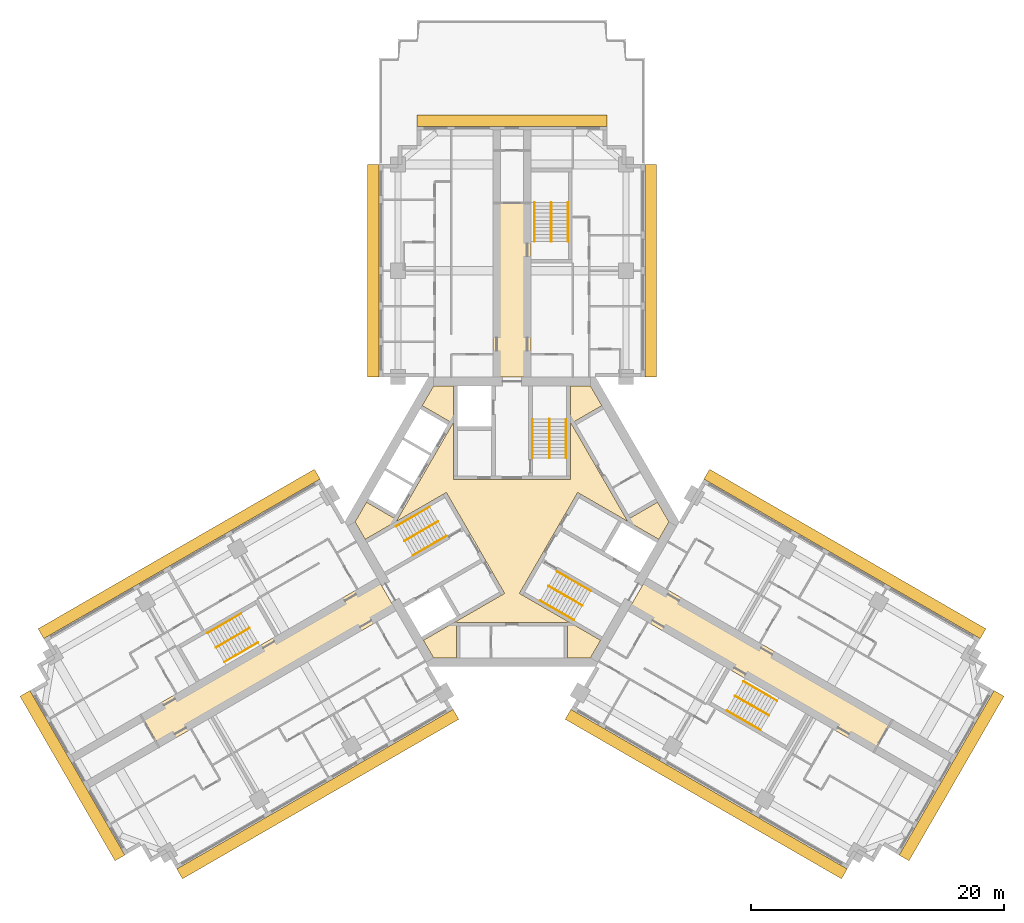
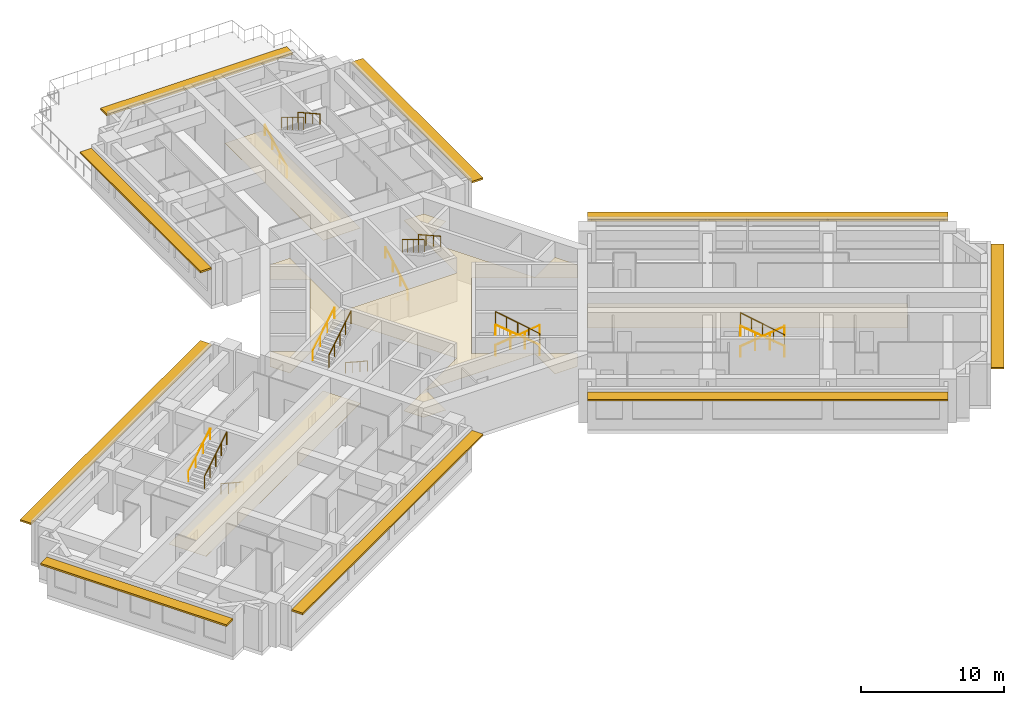
# One storey, part 11 of 12: 18 railings, 4 coverings, 3 shading devices.
"""IFC4 building model written with IfcOpenShell, lengths in metres."""

from ifc_helpers import new_model, si_unit, direction, frame, origin, origin_2d, place, context, subcontext, project, spatial, polyline, rectangle, circle, outline, extrude, material, layer, layer_set, type_object, element, save


model = new_model("IFC4")

# Units and contexts
model_context = context("Model", 3, precision=1e-05, world=origin(), true_north=direction((0.0, 1.0)))
body_context = subcontext(model_context, "Body", "Model", "MODEL_VIEW")
ifc_project = project(units=[si_unit("LENGTHUNIT", "METRE"), si_unit("AREAUNIT", "SQUARE_METRE"), si_unit("VOLUMEUNIT", "CUBIC_METRE"), si_unit("PLANEANGLEUNIT", "RADIAN"), si_unit("MASSUNIT", "GRAM", prefix="KILO")], contexts=[model_context])

# Site, building, storey
site_placement = place(None, origin())
site = spatial("IfcSite", under=ifc_project, at=site_placement, CompositionType="ELEMENT")
building_placement = place(site_placement, origin())
building = spatial("IfcBuilding", under=site, at=building_placement, Name="Impinga Residences", CompositionType="ELEMENT")
storey_placement = place(building_placement, frame((0.0, 0.0, 188.5)))
storey = spatial("IfcBuildingStorey", under=building, at=storey_placement, Name="L46", CompositionType="ELEMENT", Elevation=188.5)

# Coverings
ifc_material_1 = material(Name="Plasterboard 15 mm on steel hangers", Category="steel")
ifc_layer_1 = layer(ifc_material_1, 0.014892578125)
ifc_layer_set_1 = layer_set([ifc_layer_1], Name="Plasterboard 15 mm on steel hangers")
covering_type_1 = type_object("IfcCoveringType", Name="CL1 corridor ceiling, 15 mm plasterboard on hangers", PredefinedType="CEILING", material=ifc_layer_set_1)
covering_1_placement = place(storey_placement, frame((0.0, 0.0, 2.39990234375)))
element("IfcCovering", 1, at=covering_1_placement, inside=storey, type_object=covering_type_1, Name="Corridor ceiling CL1 L46-N00", PredefinedType="CEILING", context=body_context, shape_type="SweptSolid", body=[
    extrude(outline(polyline([(-1.5, 11.431640625), (1.5, 11.431640625), (1.5, 25.131591796875), (-1.5, 25.131591796875), (-1.5, 11.431640625)])), origin(), (0.0, 0.0, 1.0), 0.01513671875),
])
covering_2_placement = place(storey_placement, frame((0.0, 0.0, 2.39990234375)))
element("IfcCovering", 2, at=covering_2_placement, inside=storey, type_object=covering_type_1, Name="Corridor ceiling CL1 L46-W00", PredefinedType="CEILING", context=body_context, shape_type="SweptSolid", body=[
    extrude(outline(polyline([(-9.14990234375, -7.014892578125), (-10.64990234375, -4.416748046875), (-29.312744140625, -15.191650390625), (-27.812744140625, -17.789794921875), (-9.14990234375, -7.014892578125)])), origin(), (0.0, 0.0, 1.0), 0.01513671875),
])
covering_3_placement = place(storey_placement, frame((0.0, 0.0, 2.39990234375)))
element("IfcCovering", 3, at=covering_3_placement, inside=storey, type_object=covering_type_1, Name="Corridor ceiling CL1 L46-E00", PredefinedType="CEILING", context=body_context, shape_type="SweptSolid", body=[
    extrude(outline(polyline([(10.64990234375, -4.416748046875), (9.14990234375, -7.014892578125), (28.505615234375, -18.189697265625), (30.005615234375, -15.591796875), (10.64990234375, -4.416748046875)])), origin(), (0.0, 0.0, 1.0), 0.01513671875),
])
ifc_material_2 = material(Name="Mineral fibre tiles 20 mm on exposed grid", Category="mineral fibre")
ifc_layer_2 = layer(ifc_material_2, 0.02001953125)
ifc_layer_set_2 = layer_set([ifc_layer_2], Name="CL2 lift lobby ceiling, 20 mm mineral fibre tiles")
covering_type_2 = type_object("IfcCoveringType", Name="CL2 lift lobby ceiling, 20 mm mineral fibre tiles", PredefinedType="CEILING", material=ifc_layer_set_2)
covering_4_placement = place(storey_placement, frame((0.0, 0.0, 2.39990234375)))
element("IfcCovering", 4, at=covering_4_placement, inside=storey, type_object=covering_type_2, Name="Lift lobby ceiling CL2 L46-C01", PredefinedType="CEILING", context=body_context, shape_type="SweptSolid", body=[
    extrude(outline(polyline([(12.3916015625, 0.0), (11.59375, -1.382080078125), (5.183837890625, 2.318603515625), (0.583984375, -5.648681640625), (6.993896484375, -9.349365234375), (6.19580078125, -10.7314453125), (4.39990234375, -10.7314453125), (4.39990234375, -7.931640625), (-4.39990234375, -7.931640625), (-4.39990234375, -10.7314453125), (-6.19580078125, -10.7314453125), (-6.993896484375, -9.349365234375), (-0.583984375, -5.648681640625), (-5.183837890625, 2.318603515625), (-11.59375, -1.382080078125), (-12.3916015625, 0.0), (-11.493896484375, 1.55517578125), (-9.06884765625, 0.1552734375), (-4.6689453125, 7.7763671875), (-7.09375, 9.17626953125), (-6.19580078125, 10.7314453125), (-4.60009765625, 10.7314453125), (-4.60009765625, 3.330078125), (4.60009765625, 3.330078125), (4.60009765625, 10.7314453125), (6.19580078125, 10.7314453125), (7.09375, 9.17626953125), (4.6689453125, 7.7763671875), (9.06884765625, 0.1552734375), (11.493896484375, 1.55517578125), (12.3916015625, 0.0)])), origin(), (0.0, 0.0, 1.0), 0.02001953125),
])

# Railings
ifc_material_3 = material(Name="Steel guard, powder coated", Category="steel")
railing_type_1 = type_object("IfcRailingType", Name="GR1 stair guard 1100", PredefinedType="GUARDRAIL", material=ifc_material_3)
railing_1_placement = place(storey_placement, frame((2.949951171875, 8.110107421875, 1.875)))
element("IfcRailing", 5, at=railing_1_placement, inside=storey, type_object=railing_type_1, Name="Stair guard GR1 ST1 L46", PredefinedType="GUARDRAIL", context=body_context, shape_type="SweptSolid", body=[
    extrude(circle(Radius=0.02392578125, at=origin_2d()), frame((0.0, 0.0, 1.076171875), z_axis=(0.0, -0.854177636135, 0.519981313056), x_axis=(1.0, 0.0, 0.0)), (0.0, 0.0, 1.0), 3.60595703125),
    extrude(circle(Radius=0.02099609375, at=origin_2d()), origin(), (0.0, 0.0, 1.0), 1.052001953125),
    extrude(circle(Radius=0.02099609375, at=origin_2d()), frame((0.0, -0.77001953125, 0.46875)), (0.0, 0.0, 1.0), 1.052001953125),
    extrude(circle(Radius=0.02099609375, at=origin_2d()), frame((0.0, -1.5400390625, 0.9375)), (0.0, 0.0, 1.0), 1.052001953125),
    extrude(circle(Radius=0.02099609375, at=origin_2d()), frame((0.0, -2.31005859375, 1.40625)), (0.0, 0.0, 1.0), 1.052001953125),
    extrude(circle(Radius=0.02099609375, at=origin_2d()), frame((0.0, -3.080078125, 1.875)), (0.0, 0.0, 1.0), 1.052001953125),
])
railing_2_placement = place(storey_placement, frame((-8.49853515625, -1.500244140625, 1.875)))
element("IfcRailing", 6, at=railing_2_placement, inside=storey, type_object=railing_type_1, Name="Stair guard GR1 ST2 L46", PredefinedType="GUARDRAIL", context=body_context, shape_type="SweptSolid", body=[
    extrude(circle(Radius=0.02392578125, at=origin_2d()), frame((0.0, 0.0, 1.076171875), z_axis=(0.739746383972, 0.427084037168, 0.519975492303), x_axis=(-0.499992328818, 0.866029832698, 0.0)), (0.0, 0.0, 1.0), 3.60595703125),
    extrude(circle(Radius=0.02099609375, at=origin_2d()), origin(), (0.0, 0.0, 1.0), 1.052001953125),
    extrude(circle(Radius=0.02099609375, at=origin_2d()), frame((0.6669921875, 0.385009765625, 0.46875)), (0.0, 0.0, 1.0), 1.052001953125),
    extrude(circle(Radius=0.02099609375, at=origin_2d()), frame((1.333740234375, 0.77001953125, 0.9375)), (0.0, 0.0, 1.0), 1.052001953125),
    extrude(circle(Radius=0.02099609375, at=origin_2d()), frame((2.00048828125, 1.155029296875, 1.40625)), (0.0, 0.0, 1.0), 1.052001953125),
    extrude(circle(Radius=0.02099609375, at=origin_2d()), frame((2.66748046875, 1.5400390625, 1.875)), (0.0, 0.0, 1.0), 1.052001953125),
])
railing_3_placement = place(storey_placement, frame((5.548583984375, -6.60986328125, 1.875)))
element("IfcRailing", 7, at=railing_3_placement, inside=storey, type_object=railing_type_1, Name="Stair guard GR1 ST3 L46", PredefinedType="GUARDRAIL", context=body_context, shape_type="SweptSolid", body=[
    extrude(circle(Radius=0.02392578125, at=origin_2d()), frame((0.0, 0.0, 1.076171875), z_axis=(-0.739746383972, 0.427084037168, 0.519975492303), x_axis=(-0.499992328818, -0.866029832698, 0.0)), (0.0, 0.0, 1.0), 3.60595703125),
    extrude(circle(Radius=0.02099609375, at=origin_2d()), origin(), (0.0, 0.0, 1.0), 1.052001953125),
    extrude(circle(Radius=0.02099609375, at=origin_2d()), frame((-0.6669921875, 0.385009765625, 0.46875)), (0.0, 0.0, 1.0), 1.052001953125),
    extrude(circle(Radius=0.02099609375, at=origin_2d()), frame((-1.333740234375, 0.77001953125, 0.9375)), (0.0, 0.0, 1.0), 1.052001953125),
    extrude(circle(Radius=0.02099609375, at=origin_2d()), frame((-2.00048828125, 1.155029296875, 1.40625)), (0.0, 0.0, 1.0), 1.052001953125),
    extrude(circle(Radius=0.02099609375, at=origin_2d()), frame((-2.66748046875, 1.5400390625, 1.875)), (0.0, 0.0, 1.0), 1.052001953125),
])
railing_4_placement = place(storey_placement, frame((3.10009765625, 25.21142578125, 1.875)))
element("IfcRailing", 8, at=railing_4_placement, inside=storey, type_object=railing_type_1, Name="Stair guard GR1 WS1 L46", PredefinedType="GUARDRAIL", context=body_context, shape_type="SweptSolid", body=[
    extrude(circle(Radius=0.02392578125, at=origin_2d()), frame((0.0, 0.0, 1.076171875), z_axis=(0.0, -0.854159328187, 0.520011386482), x_axis=(1.0, 0.0, 0.0)), (0.0, 0.0, 1.0), 3.605712890625),
    extrude(circle(Radius=0.02099609375, at=origin_2d()), origin(), (0.0, 0.0, 1.0), 1.052001953125),
    extrude(circle(Radius=0.02099609375, at=origin_2d()), frame((0.0, -0.77001953125, 0.46875)), (0.0, 0.0, 1.0), 1.052001953125),
    extrude(circle(Radius=0.02099609375, at=origin_2d()), frame((0.0, -1.5400390625, 0.9375)), (0.0, 0.0, 1.0), 1.052001953125),
    extrude(circle(Radius=0.02099609375, at=origin_2d()), frame((0.0, -2.309814453125, 1.40625)), (0.0, 0.0, 1.0), 1.052001953125),
    extrude(circle(Radius=0.02099609375, at=origin_2d()), frame((0.0, -3.079833984375, 1.875)), (0.0, 0.0, 1.0), 1.052001953125),
])
railing_5_placement = place(storey_placement, frame((-23.3837890625, -9.921142578125, 1.875)))
element("IfcRailing", 9, at=railing_5_placement, inside=storey, type_object=railing_type_1, Name="Stair guard GR1 WS2 L46", PredefinedType="GUARDRAIL", context=body_context, shape_type="SweptSolid", body=[
    extrude(circle(Radius=0.02392578125, at=origin_2d()), frame((0.0, 0.0, 1.076171875), z_axis=(0.739715726454, 0.427105428144, 0.52000153585), x_axis=(-0.500026652407, 0.866010015463, 0.0)), (0.0, 0.0, 1.0), 3.605712890625),
    extrude(circle(Radius=0.02099609375, at=origin_2d()), origin(), (0.0, 0.0, 1.0), 1.052001953125),
    extrude(circle(Radius=0.02099609375, at=origin_2d()), frame((0.666748046875, 0.385009765625, 0.46875)), (0.0, 0.0, 1.0), 1.052001953125),
    extrude(circle(Radius=0.02099609375, at=origin_2d()), frame((1.33349609375, 0.77001953125, 0.9375)), (0.0, 0.0, 1.0), 1.052001953125),
    extrude(circle(Radius=0.02099609375, at=origin_2d()), frame((2.00048828125, 1.155029296875, 1.40625)), (0.0, 0.0, 1.0), 1.052001953125),
    extrude(circle(Radius=0.02099609375, at=origin_2d()), frame((2.667236328125, 1.5400390625, 1.875)), (0.0, 0.0, 1.0), 1.052001953125),
])
railing_6_placement = place(storey_placement, frame((20.283935546875, -15.29052734375, 1.875)))
element("IfcRailing", 10, at=railing_6_placement, inside=storey, type_object=railing_type_1, Name="Stair guard GR1 WS3 L46", PredefinedType="GUARDRAIL", context=body_context, shape_type="SweptSolid", body=[
    extrude(circle(Radius=0.02392578125, at=origin_2d()), frame((0.0, 0.0, 1.076171875), z_axis=(-0.739746383972, 0.427084037168, 0.519975492303), x_axis=(-0.499992328818, -0.866029832698, 0.0)), (0.0, 0.0, 1.0), 3.60595703125),
    extrude(circle(Radius=0.02099609375, at=origin_2d()), origin(), (0.0, 0.0, 1.0), 1.052001953125),
    extrude(circle(Radius=0.02099609375, at=origin_2d()), frame((-0.6669921875, 0.385009765625, 0.46875)), (0.0, 0.0, 1.0), 1.052001953125),
    extrude(circle(Radius=0.02099609375, at=origin_2d()), frame((-1.333740234375, 0.77001953125, 0.9375)), (0.0, 0.0, 1.0), 1.052001953125),
    extrude(circle(Radius=0.02099609375, at=origin_2d()), frame((-2.00048828125, 1.155029296875, 1.40625)), (0.0, 0.0, 1.0), 1.052001953125),
    extrude(circle(Radius=0.02099609375, at=origin_2d()), frame((-2.66748046875, 1.5400390625, 1.875)), (0.0, 0.0, 1.0), 1.052001953125),
])
ifc_material_4 = material(Name="Steel handrail tube 42 mm, powder coated", Category="steel")
railing_type_2 = type_object("IfcRailingType", Name="HR1 stair handrail, 42 mm steel tube, 900 above the pitch line", PredefinedType="HANDRAIL", material=ifc_material_4)
railing_7_placement = place(storey_placement, frame((1.62109375, 5.030029296875, 0.15625)))
element("IfcRailing", 11, at=railing_7_placement, inside=storey, type_object=railing_type_2, Name="Stair handrail HR1 ST1 L46", PredefinedType="HANDRAIL", context=body_context, shape_type="SweptSolid", body=[
    extrude(circle(Radius=0.02099609375, at=origin_2d()), frame((0.0, 0.0, 0.87890625), z_axis=(0.0, 0.873241540666, 0.487287606713), x_axis=(-1.0, 0.0, 0.0)), (0.0, 0.0, 1.0), 3.527099609375),
    extrude(circle(Radius=0.012451171875, at=origin_2d()), origin(), (0.0, 0.0, 1.0), 0.85791015625),
    extrude(circle(Radius=0.012451171875, at=origin_2d()), frame((0.0, 1.026611328125, 0.572998046875)), (0.0, 0.0, 1.0), 0.85791015625),
    extrude(circle(Radius=0.012451171875, at=origin_2d()), frame((0.0, 2.053466796875, 1.145751953125)), (0.0, 0.0, 1.0), 0.85791015625),
    extrude(circle(Radius=0.012451171875, at=origin_2d()), frame((0.0, 3.080078125, 1.71875)), (0.0, 0.0, 1.0), 0.85791015625),
])
railing_8_placement = place(storey_placement, frame((4.279052734375, 8.110107421875, 2.03125)))
element("IfcRailing", 12, at=railing_8_placement, inside=storey, type_object=railing_type_2, Name="Stair handrail HR1 ST1 L46", PredefinedType="HANDRAIL", context=body_context, shape_type="SweptSolid", body=[
    extrude(circle(Radius=0.02099609375, at=origin_2d()), frame((0.0, 0.0, 0.87890625), z_axis=(0.0, -0.873241540666, 0.487287606713), x_axis=(1.0, 0.0, 0.0)), (0.0, 0.0, 1.0), 3.527099609375),
    extrude(circle(Radius=0.012451171875, at=origin_2d()), origin(), (0.0, 0.0, 1.0), 0.85791015625),
    extrude(circle(Radius=0.012451171875, at=origin_2d()), frame((0.0, -1.026611328125, 0.572998046875)), (0.0, 0.0, 1.0), 0.85791015625),
    extrude(circle(Radius=0.012451171875, at=origin_2d()), frame((0.0, -2.053466796875, 1.145751953125)), (0.0, 0.0, 1.0), 0.85791015625),
    extrude(circle(Radius=0.012451171875, at=origin_2d()), frame((0.0, -3.080078125, 1.71875)), (0.0, 0.0, 1.0), 0.85791015625),
])
railing_9_placement = place(storey_placement, frame((-5.16650390625, -1.111083984375, 0.15625)))
element("IfcRailing", 13, at=railing_9_placement, inside=storey, type_object=railing_type_2, Name="Stair handrail HR1 ST2 L46", PredefinedType="HANDRAIL", context=body_context, shape_type="SweptSolid", body=[
    extrude(circle(Radius=0.02099609375, at=origin_2d()), frame((0.0, 0.0, 0.87890625), z_axis=(-0.756255980417, -0.436615662133, 0.487281905742), x_axis=(0.499992328818, -0.866029832698, 0.0)), (0.0, 0.0, 1.0), 3.527099609375),
    extrude(circle(Radius=0.012451171875, at=origin_2d()), origin(), (0.0, 0.0, 1.0), 0.85791015625),
    extrude(circle(Radius=0.012451171875, at=origin_2d()), frame((-0.88916015625, -0.513427734375, 0.572998046875)), (0.0, 0.0, 1.0), 0.85791015625),
    extrude(circle(Radius=0.012451171875, at=origin_2d()), frame((-1.7783203125, -1.026611328125, 1.145751953125)), (0.0, 0.0, 1.0), 0.85791015625),
    extrude(circle(Radius=0.012451171875, at=origin_2d()), frame((-2.66748046875, -1.5400390625, 1.71875)), (0.0, 0.0, 1.0), 0.85791015625),
])
railing_10_placement = place(storey_placement, frame((-9.1630859375, -0.349365234375, 2.03125)))
element("IfcRailing", 14, at=railing_10_placement, inside=storey, type_object=railing_type_2, Name="Stair handrail HR1 ST2 L46", PredefinedType="HANDRAIL", context=body_context, shape_type="SweptSolid", body=[
    extrude(circle(Radius=0.02099609375, at=origin_2d()), frame((0.0, 0.0, 0.87890625), z_axis=(0.756255980417, 0.436615662133, 0.487281905742), x_axis=(-0.499992328818, 0.866029832698, 0.0)), (0.0, 0.0, 1.0), 3.527099609375),
    extrude(circle(Radius=0.012451171875, at=origin_2d()), origin(), (0.0, 0.0, 1.0), 0.85791015625),
    extrude(circle(Radius=0.012451171875, at=origin_2d()), frame((0.88916015625, 0.513427734375, 0.572998046875)), (0.0, 0.0, 1.0), 0.85791015625),
    extrude(circle(Radius=0.012451171875, at=origin_2d()), frame((1.7783203125, 1.026611328125, 1.145751953125)), (0.0, 0.0, 1.0), 0.85791015625),
    extrude(circle(Radius=0.012451171875, at=origin_2d()), frame((2.66748046875, 1.5400390625, 1.71875)), (0.0, 0.0, 1.0), 0.85791015625),
])
railing_11_placement = place(storey_placement, frame((3.545654296875, -3.9189453125, 0.15625)))
element("IfcRailing", 15, at=railing_11_placement, inside=storey, type_object=railing_type_2, Name="Stair handrail HR1 ST3 L46", PredefinedType="HANDRAIL", context=body_context, shape_type="SweptSolid", body=[
    extrude(circle(Radius=0.02099609375, at=origin_2d()), frame((0.0, 0.0, 0.87890625), z_axis=(0.756249203677, -0.436582492228, 0.487322141317), x_axis=(0.499967199496, 0.866044340336, 0.0)), (0.0, 0.0, 1.0), 3.52685546875),
    extrude(circle(Radius=0.012451171875, at=origin_2d()), origin(), (0.0, 0.0, 1.0), 0.85791015625),
    extrude(circle(Radius=0.012451171875, at=origin_2d()), frame((0.88916015625, -0.51318359375, 0.572998046875)), (0.0, 0.0, 1.0), 0.85791015625),
    extrude(circle(Radius=0.012451171875, at=origin_2d()), frame((1.778076171875, -1.026611328125, 1.145751953125)), (0.0, 0.0, 1.0), 0.85791015625),
    extrude(circle(Radius=0.012451171875, at=origin_2d()), frame((2.667236328125, -1.539794921875, 1.71875)), (0.0, 0.0, 1.0), 0.85791015625),
])
railing_12_placement = place(storey_placement, frame((4.884033203125, -7.7607421875, 2.03125)))
element("IfcRailing", 16, at=railing_12_placement, inside=storey, type_object=railing_type_2, Name="Stair handrail HR1 ST3 L46", PredefinedType="HANDRAIL", context=body_context, shape_type="SweptSolid", body=[
    extrude(circle(Radius=0.02099609375, at=origin_2d()), frame((0.0, 0.0, 0.87890625), z_axis=(-0.756255980417, 0.436615662133, 0.487281905742), x_axis=(-0.499992328818, -0.866029832698, 0.0)), (0.0, 0.0, 1.0), 3.527099609375),
    extrude(circle(Radius=0.012451171875, at=origin_2d()), origin(), (0.0, 0.0, 1.0), 0.85791015625),
    extrude(circle(Radius=0.012451171875, at=origin_2d()), frame((-0.88916015625, 0.513427734375, 0.572998046875)), (0.0, 0.0, 1.0), 0.85791015625),
    extrude(circle(Radius=0.012451171875, at=origin_2d()), frame((-1.7783203125, 1.026611328125, 1.145751953125)), (0.0, 0.0, 1.0), 0.85791015625),
    extrude(circle(Radius=0.012451171875, at=origin_2d()), frame((-2.66748046875, 1.5400390625, 1.71875)), (0.0, 0.0, 1.0), 0.85791015625),
])
railing_13_placement = place(storey_placement, frame((1.77099609375, 22.131591796875, 0.15625)))
element("IfcRailing", 17, at=railing_13_placement, inside=storey, type_object=railing_type_2, Name="Stair handrail HR1 WS1 L46", PredefinedType="HANDRAIL", context=body_context, shape_type="SweptSolid", body=[
    extrude(circle(Radius=0.02099609375, at=origin_2d()), frame((0.0, 0.0, 0.87890625), z_axis=(0.0, 0.873225103656, 0.487317061414), x_axis=(-1.0, 0.0, 0.0)), (0.0, 0.0, 1.0), 3.52685546875),
    extrude(circle(Radius=0.012451171875, at=origin_2d()), origin(), (0.0, 0.0, 1.0), 0.85791015625),
    extrude(circle(Radius=0.012451171875, at=origin_2d()), frame((0.0, 1.026611328125, 0.572998046875)), (0.0, 0.0, 1.0), 0.85791015625),
    extrude(circle(Radius=0.012451171875, at=origin_2d()), frame((0.0, 2.05322265625, 1.145751953125)), (0.0, 0.0, 1.0), 0.85791015625),
    extrude(circle(Radius=0.012451171875, at=origin_2d()), frame((0.0, 3.079833984375, 1.71875)), (0.0, 0.0, 1.0), 0.85791015625),
])
railing_14_placement = place(storey_placement, frame((4.428955078125, 25.21142578125, 2.03125)))
element("IfcRailing", 18, at=railing_14_placement, inside=storey, type_object=railing_type_2, Name="Stair handrail HR1 WS1 L46", PredefinedType="HANDRAIL", context=body_context, shape_type="SweptSolid", body=[
    extrude(circle(Radius=0.02099609375, at=origin_2d()), frame((0.0, 0.0, 0.87890625), z_axis=(0.0, -0.873225103656, 0.487317061414), x_axis=(1.0, 0.0, 0.0)), (0.0, 0.0, 1.0), 3.52685546875),
    extrude(circle(Radius=0.012451171875, at=origin_2d()), origin(), (0.0, 0.0, 1.0), 0.85791015625),
    extrude(circle(Radius=0.012451171875, at=origin_2d()), frame((0.0, -1.026611328125, 0.572998046875)), (0.0, 0.0, 1.0), 0.85791015625),
    extrude(circle(Radius=0.012451171875, at=origin_2d()), frame((0.0, -2.05322265625, 1.145751953125)), (0.0, 0.0, 1.0), 0.85791015625),
    extrude(circle(Radius=0.012451171875, at=origin_2d()), frame((0.0, -3.079833984375, 1.71875)), (0.0, 0.0, 1.0), 0.85791015625),
])
railing_15_placement = place(storey_placement, frame((-20.052001953125, -9.531982421875, 0.15625)))
element("IfcRailing", 19, at=railing_15_placement, inside=storey, type_object=railing_type_2, Name="Stair handrail HR1 WS2 L46", PredefinedType="HANDRAIL", context=body_context, shape_type="SweptSolid", body=[
    extrude(circle(Radius=0.02099609375, at=origin_2d()), frame((0.0, 0.0, 0.87890625), z_axis=(-0.756226348243, -0.436638517594, 0.487307413422), x_axis=(0.500026652407, -0.866010015463, 0.0)), (0.0, 0.0, 1.0), 3.527099609375),
    extrude(circle(Radius=0.012451171875, at=origin_2d()), origin(), (0.0, 0.0, 1.0), 0.85791015625),
    extrude(circle(Radius=0.012451171875, at=origin_2d()), frame((-0.88916015625, -0.513427734375, 0.572998046875)), (0.0, 0.0, 1.0), 0.85791015625),
    extrude(circle(Radius=0.012451171875, at=origin_2d()), frame((-1.778076171875, -1.026611328125, 1.145751953125)), (0.0, 0.0, 1.0), 0.85791015625),
    extrude(circle(Radius=0.012451171875, at=origin_2d()), frame((-2.667236328125, -1.5400390625, 1.71875)), (0.0, 0.0, 1.0), 0.85791015625),
])
railing_16_placement = place(storey_placement, frame((-24.04833984375, -8.77001953125, 2.03125)))
element("IfcRailing", 20, at=railing_16_placement, inside=storey, type_object=railing_type_2, Name="Stair handrail HR1 WS2 L46", PredefinedType="HANDRAIL", context=body_context, shape_type="SweptSolid", body=[
    extrude(circle(Radius=0.02099609375, at=origin_2d()), frame((0.0, 0.0, 0.87890625), z_axis=(0.756278834354, 0.436559638319, 0.487296631324), x_axis=(-0.499932877268, 0.866064153644, 0.0)), (0.0, 0.0, 1.0), 3.527099609375),
    extrude(circle(Radius=0.012451171875, at=origin_2d()), origin(), (0.0, 0.0, 1.0), 0.85791015625),
    extrude(circle(Radius=0.012451171875, at=origin_2d()), frame((0.88916015625, 0.51318359375, 0.572998046875)), (0.0, 0.0, 1.0), 0.85791015625),
    extrude(circle(Radius=0.012451171875, at=origin_2d()), frame((1.7783203125, 1.026611328125, 1.145751953125)), (0.0, 0.0, 1.0), 0.85791015625),
    extrude(circle(Radius=0.012451171875, at=origin_2d()), frame((2.66748046875, 1.539794921875, 1.71875)), (0.0, 0.0, 1.0), 0.85791015625),
])
railing_17_placement = place(storey_placement, frame((18.281005859375, -12.599609375, 0.15625)))
element("IfcRailing", 21, at=railing_17_placement, inside=storey, type_object=railing_type_2, Name="Stair handrail HR1 WS3 L46", PredefinedType="HANDRAIL", context=body_context, shape_type="SweptSolid", body=[
    extrude(circle(Radius=0.02099609375, at=origin_2d()), frame((0.0, 0.0, 0.87890625), z_axis=(0.756249203677, -0.436582492228, 0.487322141317), x_axis=(0.499967199496, 0.866044340336, 0.0)), (0.0, 0.0, 1.0), 3.52685546875),
    extrude(circle(Radius=0.012451171875, at=origin_2d()), origin(), (0.0, 0.0, 1.0), 0.85791015625),
    extrude(circle(Radius=0.012451171875, at=origin_2d()), frame((0.88916015625, -0.51318359375, 0.572998046875)), (0.0, 0.0, 1.0), 0.85791015625),
    extrude(circle(Radius=0.012451171875, at=origin_2d()), frame((1.778076171875, -1.026611328125, 1.145751953125)), (0.0, 0.0, 1.0), 0.85791015625),
    extrude(circle(Radius=0.012451171875, at=origin_2d()), frame((2.667236328125, -1.539794921875, 1.71875)), (0.0, 0.0, 1.0), 0.85791015625),
])
railing_18_placement = place(storey_placement, frame((19.619384765625, -16.44140625, 2.03125)))
element("IfcRailing", 22, at=railing_18_placement, inside=storey, type_object=railing_type_2, Name="Stair handrail HR1 WS3 L46", PredefinedType="HANDRAIL", context=body_context, shape_type="SweptSolid", body=[
    extrude(circle(Radius=0.02099609375, at=origin_2d()), frame((0.0, 0.0, 0.87890625), z_axis=(-0.756255980417, 0.436615662133, 0.487281905742), x_axis=(-0.499992328818, -0.866029832698, 0.0)), (0.0, 0.0, 1.0), 3.527099609375),
    extrude(circle(Radius=0.012451171875, at=origin_2d()), origin(), (0.0, 0.0, 1.0), 0.85791015625),
    extrude(circle(Radius=0.012451171875, at=origin_2d()), frame((-0.88916015625, 0.513427734375, 0.572998046875)), (0.0, 0.0, 1.0), 0.85791015625),
    extrude(circle(Radius=0.012451171875, at=origin_2d()), frame((-1.7783203125, 1.026611328125, 1.145751953125)), (0.0, 0.0, 1.0), 0.85791015625),
    extrude(circle(Radius=0.012451171875, at=origin_2d()), frame((-2.66748046875, 1.5400390625, 1.71875)), (0.0, 0.0, 1.0), 0.85791015625),
])

# Shading devices
ifc_material_5 = material(Name="Terracotta sunshade blades on aluminium brackets", Category="masonry")
ifc_layer_3 = layer(ifc_material_5, 0.14990234375)
ifc_layer_set_3 = layer_set([ifc_layer_3], Name="SS1 SUNSHADE terracotta sunshade band 900")
shading_device_type = type_object("IfcShadingDeviceType", Name="SS1 SUNSHADE terracotta sunshade band 900", PredefinedType="USERDEFINED", material=ifc_layer_set_3)
shading_device_1_placement = place(storey_placement, frame((-10.949951171875, 19.83154296875, 3.10009765625), z_axis=(0.0, 0.0, 1.0), x_axis=(0.0, 1.0, 0.0)))
element("IfcShadingDevice", 23, at=shading_device_1_placement, inside=storey, type_object=shading_device_type, Name="SUNSHADE band L46 NORTH WING", ObjectType="SUNSHADE", PredefinedType="USERDEFINED", context=body_context, shape_type="SweptSolid", body=[
    extrude(rectangle(XDim=16.800048828125, YDim=0.89990234375, at=origin_2d()), origin(), (0.0, 0.0, 1.0), 0.14990234375),
    extrude(rectangle(XDim=15.0, YDim=0.89990234375, at=origin_2d()), frame((11.85009765625, -10.949951171875, 0.0), z_axis=(0.0, 0.0, 1.0), x_axis=(0.0, -1.0, 0.0)), (0.0, 0.0, 1.0), 0.14990234375),
    extrude(rectangle(XDim=16.800048828125, YDim=0.89990234375, at=origin_2d()), frame((0.0, -21.89990234375, 0.0), z_axis=(0.0, 0.0, 1.0), x_axis=(-1.0, 0.0, 0.0)), (0.0, 0.0, 1.0), 0.14990234375),
])
shading_device_2_placement = place(storey_placement, frame((-34.711669921875, -20.040771484375, 3.10009765625), z_axis=(0.0, 0.0, 1.0), x_axis=(-0.5, 0.866025403784, 0.0)))
element("IfcShadingDevice", 24, at=shading_device_2_placement, inside=storey, type_object=shading_device_type, Name="SUNSHADE band L46 WEST WING", ObjectType="SUNSHADE", PredefinedType="USERDEFINED", context=body_context, shape_type="SweptSolid", body=[
    extrude(rectangle(XDim=15.0, YDim=0.89990234375, at=origin_2d()), origin(), (0.0, 0.0, 1.0), 0.14990234375),
    extrude(rectangle(XDim=25.199951171875, YDim=0.89990234375, at=origin_2d()), frame((10.949951171875, -16.050048828125, 0.0), z_axis=(0.0, 0.0, 1.0), x_axis=(0.0, -1.0, 0.0)), (0.0, 0.0, 1.0), 0.14990234375),
    extrude(rectangle(XDim=25.199951171875, YDim=0.89990234375, at=origin_2d()), frame((-10.949951171875, -16.050048828125, 0.0), z_axis=(0.0, 0.0, 1.0), x_axis=(0.0, 1.0, 0.0)), (0.0, 0.0, 1.0), 0.14990234375),
])
shading_device_3_placement = place(storey_placement, frame((26.286865234375, -2.53271484375, 3.10009765625), z_axis=(0.0, 0.0, 1.0), x_axis=(0.866025403784, -0.5, 0.0)))
element("IfcShadingDevice", 25, at=shading_device_3_placement, inside=storey, type_object=shading_device_type, Name="SUNSHADE band L46 EAST WING", ObjectType="SUNSHADE", PredefinedType="USERDEFINED", context=body_context, shape_type="SweptSolid", body=[
    extrude(rectangle(XDim=25.199951171875, YDim=0.89990234375, at=origin_2d()), origin(), (0.0, 0.0, 1.0), 0.14990234375),
    extrude(rectangle(XDim=15.0, YDim=0.89990234375, at=origin_2d()), frame((16.050048828125, -10.949951171875, 0.0), z_axis=(0.0, 0.0, 1.0), x_axis=(0.0, -1.0, 0.0)), (0.0, 0.0, 1.0), 0.14990234375),
    extrude(rectangle(XDim=25.199951171875, YDim=0.89990234375, at=origin_2d()), frame((0.0, -21.900146484375, 0.0), z_axis=(0.0, 0.0, 1.0), x_axis=(-1.0, 0.0, 0.0)), (0.0, 0.0, 1.0), 0.14990234375),
])

save(model, "model.ifc")
